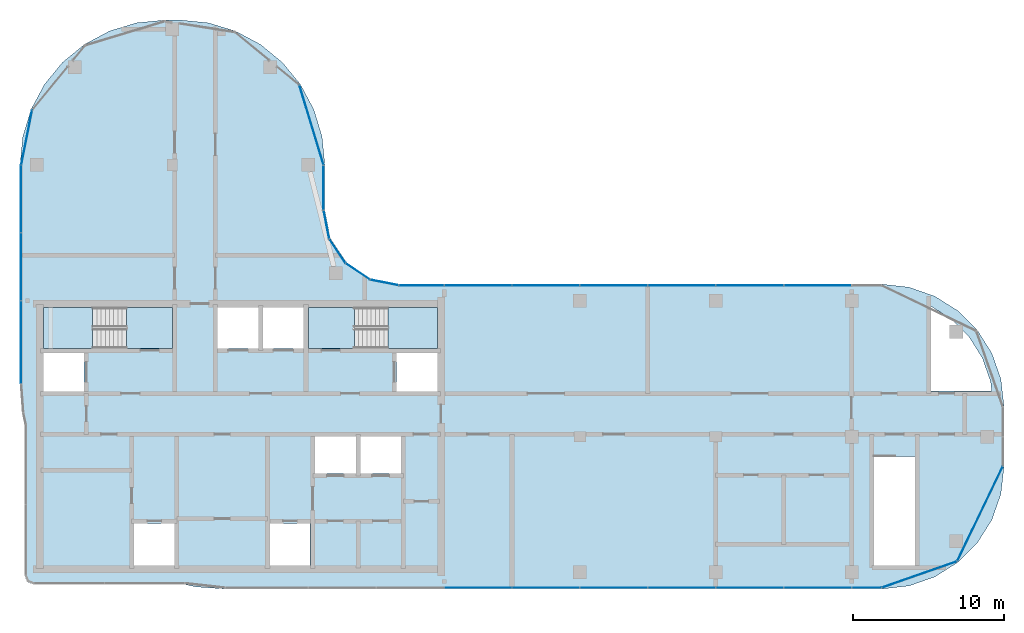
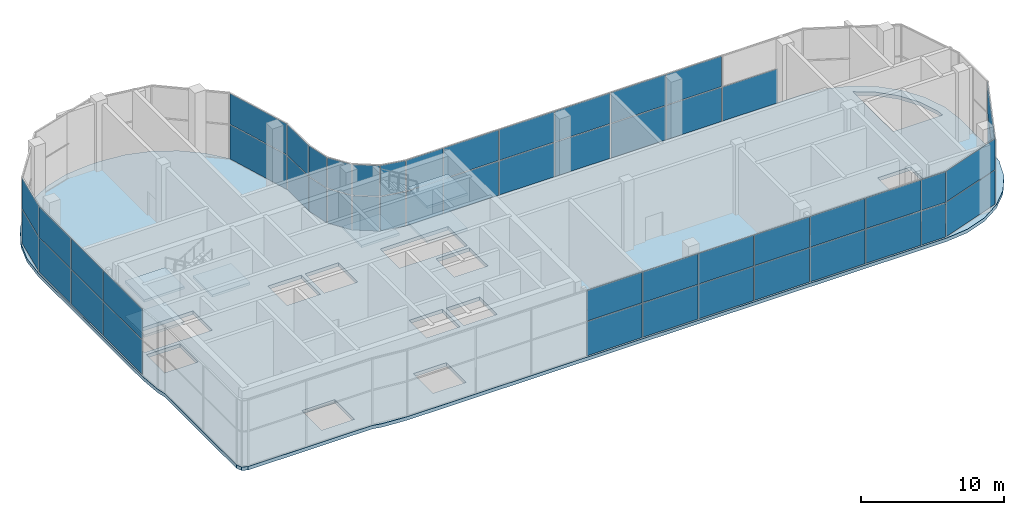
# One storey, part 13 of 21: 51 plates, 7 slabs, 10 elements without a shape of their own.
"""IFC4 building model written with IfcOpenShell, lengths in metres."""

from ifc_helpers import new_model, si_unit, direction, frame, origin, origin_2d, place, context, subcontext, project, spatial, polyline, rectangle, outline, extrude, material, layer, layer_set, type_object, element, aggregate, save


model = new_model("IFC4")

# Units and contexts
model_context = context("Model", 3, precision=1e-05, world=origin(), true_north=direction((0.0, 1.0)))
body_context = subcontext(model_context, "Body", "Model", "MODEL_VIEW")
ifc_project = project(units=[si_unit("LENGTHUNIT", "METRE"), si_unit("AREAUNIT", "SQUARE_METRE"), si_unit("VOLUMEUNIT", "CUBIC_METRE"), si_unit("PLANEANGLEUNIT", "RADIAN"), si_unit("MASSUNIT", "GRAM", prefix="KILO")], contexts=[model_context])

# Site, building, storey
site_placement = place(None, origin())
site = spatial("IfcSite", under=ifc_project, at=site_placement, CompositionType="ELEMENT")
building_placement = place(site_placement, origin())
building = spatial("IfcBuilding", under=site, at=building_placement, Name="Ogive Portal Towers", CompositionType="ELEMENT")
storey_placement = place(building_placement, frame((0.0, 0.0, 266.89990234375)))
storey = spatial("IfcBuildingStorey", under=building, at=storey_placement, Name="L65", CompositionType="ELEMENT", Elevation=266.89990234375)

# Curtain wall, plates
ifc_material_1 = material(Name="Glass, clear low-iron insulated glazing", Category="glass")
curtain_wall_type = type_object("IfcCurtainWallType", Name="CW OBSERVATION WALL", PredefinedType="NOTDEFINED", material=ifc_material_1)
curtain_wall_1_placement = place(storey_placement, origin())
curtain_wall_1 = element("IfcCurtainWall", 1, at=curtain_wall_1_placement, inside=storey, type_object=curtain_wall_type, Name="A:L65:f05:cw0", PredefinedType="NOTDEFINED")
ifc_layer_1 = layer(ifc_material_1, 0.028076171875)
ifc_layer_set_1 = layer_set([ifc_layer_1], Name="CW PANEL IGU 28")
plate_type = type_object("IfcPlateType", Name="CW PANEL IGU 28", PredefinedType="CURTAIN_PANEL", material=ifc_layer_set_1)
plate_1_placement = place(storey_placement, frame((60.75, 20.47998046875, 0.06005859375), z_axis=(0.0, 0.0, 1.0), x_axis=(1.0, 0.0, 0.0)))
plate_1 = element("IfcPlate", 2, at=plate_1_placement, type_object=plate_type, Name="panel", PredefinedType="CURTAIN_PANEL", context=body_context, shape_type="SweptSolid", body=[
    extrude(rectangle(XDim=4.43994140625, YDim=0.028076171875, at=origin_2d()), origin(), (0.0, 0.0, 1.0), 2.909912109375),
])
plate_2_placement = place(storey_placement, frame((60.75, 20.47998046875, 3.0302734375), z_axis=(0.0, 0.0, 1.0), x_axis=(1.0, 0.0, 0.0)))
plate_2 = element("IfcPlate", 3, at=plate_2_placement, type_object=plate_type, Name="panel", PredefinedType="CURTAIN_PANEL", context=body_context, shape_type="SweptSolid", body=[
    extrude(rectangle(XDim=4.43994140625, YDim=0.028076171875, at=origin_2d()), origin(), (0.0, 0.0, 1.0), 2.610107421875),
])
plate_3_placement = place(storey_placement, frame((65.25, 20.47998046875, 0.06005859375), z_axis=(0.0, 0.0, 1.0), x_axis=(1.0, 0.0, 0.0)))
plate_3 = element("IfcPlate", 4, at=plate_3_placement, type_object=plate_type, Name="panel", PredefinedType="CURTAIN_PANEL", context=body_context, shape_type="SweptSolid", body=[
    extrude(rectangle(XDim=4.43994140625, YDim=0.028076171875, at=origin_2d()), origin(), (0.0, 0.0, 1.0), 2.909912109375),
])
plate_4_placement = place(storey_placement, frame((65.25, 20.47998046875, 3.0302734375), z_axis=(0.0, 0.0, 1.0), x_axis=(1.0, 0.0, 0.0)))
plate_4 = element("IfcPlate", 5, at=plate_4_placement, type_object=plate_type, Name="panel", PredefinedType="CURTAIN_PANEL", context=body_context, shape_type="SweptSolid", body=[
    extrude(rectangle(XDim=4.43994140625, YDim=0.028076171875, at=origin_2d()), origin(), (0.0, 0.0, 1.0), 2.610107421875),
])
plate_5_placement = place(storey_placement, frame((69.75, 20.47998046875, 0.06005859375), z_axis=(0.0, 0.0, 1.0), x_axis=(1.0, 0.0, 0.0)))
plate_5 = element("IfcPlate", 6, at=plate_5_placement, type_object=plate_type, Name="panel", PredefinedType="CURTAIN_PANEL", context=body_context, shape_type="SweptSolid", body=[
    extrude(rectangle(XDim=4.43994140625, YDim=0.028076171875, at=origin_2d()), origin(), (0.0, 0.0, 1.0), 2.909912109375),
])
plate_6_placement = place(storey_placement, frame((69.75, 20.47998046875, 3.0302734375), z_axis=(0.0, 0.0, 1.0), x_axis=(1.0, 0.0, 0.0)))
plate_6 = element("IfcPlate", 7, at=plate_6_placement, type_object=plate_type, Name="panel", PredefinedType="CURTAIN_PANEL", context=body_context, shape_type="SweptSolid", body=[
    extrude(rectangle(XDim=4.43994140625, YDim=0.028076171875, at=origin_2d()), origin(), (0.0, 0.0, 1.0), 2.610107421875),
])
plate_7_placement = place(storey_placement, frame((74.25, 20.47998046875, 0.06005859375), z_axis=(0.0, 0.0, 1.0), x_axis=(1.0, 0.0, 0.0)))
plate_7 = element("IfcPlate", 8, at=plate_7_placement, type_object=plate_type, Name="panel", PredefinedType="CURTAIN_PANEL", context=body_context, shape_type="SweptSolid", body=[
    extrude(rectangle(XDim=4.43994140625, YDim=0.028076171875, at=origin_2d()), origin(), (0.0, 0.0, 1.0), 2.909912109375),
])
plate_8_placement = place(storey_placement, frame((74.25, 20.47998046875, 3.0302734375), z_axis=(0.0, 0.0, 1.0), x_axis=(1.0, 0.0, 0.0)))
plate_8 = element("IfcPlate", 9, at=plate_8_placement, type_object=plate_type, Name="panel", PredefinedType="CURTAIN_PANEL", context=body_context, shape_type="SweptSolid", body=[
    extrude(rectangle(XDim=4.43994140625, YDim=0.028076171875, at=origin_2d()), origin(), (0.0, 0.0, 1.0), 2.610107421875),
])
plate_9_placement = place(storey_placement, frame((78.75, 20.47998046875, 0.06005859375), z_axis=(0.0, 0.0, 1.0), x_axis=(1.0, 0.0, 0.0)))
plate_9 = element("IfcPlate", 10, at=plate_9_placement, type_object=plate_type, Name="panel", PredefinedType="CURTAIN_PANEL", context=body_context, shape_type="SweptSolid", body=[
    extrude(rectangle(XDim=4.43994140625, YDim=0.028076171875, at=origin_2d()), origin(), (0.0, 0.0, 1.0), 2.909912109375),
])
plate_10_placement = place(storey_placement, frame((78.75, 20.47998046875, 3.0302734375), z_axis=(0.0, 0.0, 1.0), x_axis=(1.0, 0.0, 0.0)))
plate_10 = element("IfcPlate", 11, at=plate_10_placement, type_object=plate_type, Name="panel", PredefinedType="CURTAIN_PANEL", context=body_context, shape_type="SweptSolid", body=[
    extrude(rectangle(XDim=4.43994140625, YDim=0.028076171875, at=origin_2d()), origin(), (0.0, 0.0, 1.0), 2.610107421875),
])
plate_11_placement = place(storey_placement, frame((83.25, 20.47998046875, 0.06005859375), z_axis=(0.0, 0.0, 1.0), x_axis=(1.0, 0.0, 0.0)))
plate_11 = element("IfcPlate", 12, at=plate_11_placement, type_object=plate_type, Name="panel", PredefinedType="CURTAIN_PANEL", context=body_context, shape_type="SweptSolid", body=[
    extrude(rectangle(XDim=4.43994140625, YDim=0.028076171875, at=origin_2d()), origin(), (0.0, 0.0, 1.0), 2.909912109375),
])
plate_12_placement = place(storey_placement, frame((83.25, 20.47998046875, 3.0302734375), z_axis=(0.0, 0.0, 1.0), x_axis=(1.0, 0.0, 0.0)))
plate_12 = element("IfcPlate", 13, at=plate_12_placement, type_object=plate_type, Name="panel", PredefinedType="CURTAIN_PANEL", context=body_context, shape_type="SweptSolid", body=[
    extrude(rectangle(XDim=4.43994140625, YDim=0.028076171875, at=origin_2d()), origin(), (0.0, 0.0, 1.0), 2.610107421875),
])
plate_13_placement = place(storey_placement, frame((86.4931640625, 20.47998046875, 0.06005859375), z_axis=(0.0, 0.0, 1.0), x_axis=(1.0, 0.0, 0.0)))
plate_13 = element("IfcPlate", 14, at=plate_13_placement, type_object=plate_type, Name="panel", PredefinedType="CURTAIN_PANEL", context=body_context, shape_type="SweptSolid", body=[
    extrude(rectangle(XDim=1.926513671875, YDim=0.028076171875, at=origin_2d()), origin(), (0.0, 0.0, 1.0), 2.909912109375),
])
plate_14_placement = place(storey_placement, frame((86.4931640625, 20.47998046875, 3.0302734375), z_axis=(0.0, 0.0, 1.0), x_axis=(1.0, 0.0, 0.0)))
plate_14 = element("IfcPlate", 15, at=plate_14_placement, type_object=plate_type, Name="panel", PredefinedType="CURTAIN_PANEL", context=body_context, shape_type="SweptSolid", body=[
    extrude(rectangle(XDim=1.926513671875, YDim=0.028076171875, at=origin_2d()), origin(), (0.0, 0.0, 1.0), 2.610107421875),
])
aggregate(curtain_wall_1, [plate_1, plate_2, plate_3, plate_4, plate_5, plate_6, plate_7, plate_8, plate_9, plate_10, plate_11, plate_12, plate_13, plate_14])

curtain_wall_2_placement = place(storey_placement, origin())
curtain_wall_2 = element("IfcCurtainWall", 16, at=curtain_wall_2_placement, inside=storey, type_object=curtain_wall_type, Name="A:L65:f11:cw0", PredefinedType="NOTDEFINED")
plate_15_placement = place(storey_placement, frame((83.25, 40.52001953125, 0.06005859375), z_axis=(0.0, 0.0, 1.0), x_axis=(-1.0, 0.0, 0.0)))
plate_15 = element("IfcPlate", 17, at=plate_15_placement, type_object=plate_type, Name="panel", PredefinedType="CURTAIN_PANEL", context=body_context, shape_type="SweptSolid", body=[
    extrude(rectangle(XDim=4.43994140625, YDim=0.028076171875, at=origin_2d()), origin(), (0.0, 0.0, 1.0), 2.909912109375),
])
plate_16_placement = place(storey_placement, frame((78.75, 40.52001953125, 0.06005859375), z_axis=(0.0, 0.0, 1.0), x_axis=(-1.0, 0.0, 0.0)))
plate_16 = element("IfcPlate", 18, at=plate_16_placement, type_object=plate_type, Name="panel", PredefinedType="CURTAIN_PANEL", context=body_context, shape_type="SweptSolid", body=[
    extrude(rectangle(XDim=4.43994140625, YDim=0.028076171875, at=origin_2d()), origin(), (0.0, 0.0, 1.0), 2.909912109375),
])
plate_17_placement = place(storey_placement, frame((78.75, 40.52001953125, 3.0302734375), z_axis=(0.0, 0.0, 1.0), x_axis=(-1.0, 0.0, 0.0)))
plate_17 = element("IfcPlate", 19, at=plate_17_placement, type_object=plate_type, Name="panel", PredefinedType="CURTAIN_PANEL", context=body_context, shape_type="SweptSolid", body=[
    extrude(rectangle(XDim=4.43994140625, YDim=0.028076171875, at=origin_2d()), origin(), (0.0, 0.0, 1.0), 2.610107421875),
])
plate_18_placement = place(storey_placement, frame((74.25, 40.52001953125, 0.06005859375), z_axis=(0.0, 0.0, 1.0), x_axis=(-1.0, 0.0, 0.0)))
plate_18 = element("IfcPlate", 20, at=plate_18_placement, type_object=plate_type, Name="panel", PredefinedType="CURTAIN_PANEL", context=body_context, shape_type="SweptSolid", body=[
    extrude(rectangle(XDim=4.43994140625, YDim=0.028076171875, at=origin_2d()), origin(), (0.0, 0.0, 1.0), 2.909912109375),
])
plate_19_placement = place(storey_placement, frame((74.25, 40.52001953125, 3.0302734375), z_axis=(0.0, 0.0, 1.0), x_axis=(-1.0, 0.0, 0.0)))
plate_19 = element("IfcPlate", 21, at=plate_19_placement, type_object=plate_type, Name="panel", PredefinedType="CURTAIN_PANEL", context=body_context, shape_type="SweptSolid", body=[
    extrude(rectangle(XDim=4.43994140625, YDim=0.028076171875, at=origin_2d()), origin(), (0.0, 0.0, 1.0), 2.610107421875),
])
plate_20_placement = place(storey_placement, frame((69.75, 40.52001953125, 0.06005859375), z_axis=(0.0, 0.0, 1.0), x_axis=(-1.0, 0.0, 0.0)))
plate_20 = element("IfcPlate", 22, at=plate_20_placement, type_object=plate_type, Name="panel", PredefinedType="CURTAIN_PANEL", context=body_context, shape_type="SweptSolid", body=[
    extrude(rectangle(XDim=4.43994140625, YDim=0.028076171875, at=origin_2d()), origin(), (0.0, 0.0, 1.0), 2.909912109375),
])
plate_21_placement = place(storey_placement, frame((69.75, 40.52001953125, 3.0302734375), z_axis=(0.0, 0.0, 1.0), x_axis=(-1.0, 0.0, 0.0)))
plate_21 = element("IfcPlate", 23, at=plate_21_placement, type_object=plate_type, Name="panel", PredefinedType="CURTAIN_PANEL", context=body_context, shape_type="SweptSolid", body=[
    extrude(rectangle(XDim=4.43994140625, YDim=0.028076171875, at=origin_2d()), origin(), (0.0, 0.0, 1.0), 2.610107421875),
])
plate_22_placement = place(storey_placement, frame((65.25, 40.52001953125, 0.06005859375), z_axis=(0.0, 0.0, 1.0), x_axis=(-1.0, 0.0, 0.0)))
plate_22 = element("IfcPlate", 24, at=plate_22_placement, type_object=plate_type, Name="panel", PredefinedType="CURTAIN_PANEL", context=body_context, shape_type="SweptSolid", body=[
    extrude(rectangle(XDim=4.43994140625, YDim=0.028076171875, at=origin_2d()), origin(), (0.0, 0.0, 1.0), 2.909912109375),
])
plate_23_placement = place(storey_placement, frame((65.25, 40.52001953125, 3.0302734375), z_axis=(0.0, 0.0, 1.0), x_axis=(-1.0, 0.0, 0.0)))
plate_23 = element("IfcPlate", 25, at=plate_23_placement, type_object=plate_type, Name="panel", PredefinedType="CURTAIN_PANEL", context=body_context, shape_type="SweptSolid", body=[
    extrude(rectangle(XDim=4.43994140625, YDim=0.028076171875, at=origin_2d()), origin(), (0.0, 0.0, 1.0), 2.610107421875),
])
plate_24_placement = place(storey_placement, frame((60.75, 40.52001953125, 0.06005859375), z_axis=(0.0, 0.0, 1.0), x_axis=(-1.0, 0.0, 0.0)))
plate_24 = element("IfcPlate", 26, at=plate_24_placement, type_object=plate_type, Name="panel", PredefinedType="CURTAIN_PANEL", context=body_context, shape_type="SweptSolid", body=[
    extrude(rectangle(XDim=4.43994140625, YDim=0.028076171875, at=origin_2d()), origin(), (0.0, 0.0, 1.0), 2.909912109375),
])
plate_25_placement = place(storey_placement, frame((60.75, 40.52001953125, 3.0302734375), z_axis=(0.0, 0.0, 1.0), x_axis=(-1.0, 0.0, 0.0)))
plate_25 = element("IfcPlate", 27, at=plate_25_placement, type_object=plate_type, Name="panel", PredefinedType="CURTAIN_PANEL", context=body_context, shape_type="SweptSolid", body=[
    extrude(rectangle(XDim=4.43994140625, YDim=0.028076171875, at=origin_2d()), origin(), (0.0, 0.0, 1.0), 2.610107421875),
])
plate_26_placement = place(storey_placement, frame((56.99609375, 40.52001953125, 0.06005859375), z_axis=(0.0, 0.0, 1.0), x_axis=(-1.0, 0.0, 0.0)))
plate_26 = element("IfcPlate", 28, at=plate_26_placement, type_object=plate_type, Name="panel", PredefinedType="CURTAIN_PANEL", context=body_context, shape_type="SweptSolid", body=[
    extrude(rectangle(XDim=2.947998046875, YDim=0.028076171875, at=origin_2d()), origin(), (0.0, 0.0, 1.0), 2.909912109375),
])
plate_27_placement = place(storey_placement, frame((56.99609375, 40.52001953125, 3.0302734375), z_axis=(0.0, 0.0, 1.0), x_axis=(-1.0, 0.0, 0.0)))
plate_27 = element("IfcPlate", 29, at=plate_27_placement, type_object=plate_type, Name="panel", PredefinedType="CURTAIN_PANEL", context=body_context, shape_type="SweptSolid", body=[
    extrude(rectangle(XDim=2.947998046875, YDim=0.028076171875, at=origin_2d()), origin(), (0.0, 0.0, 1.0), 2.610107421875),
])
aggregate(curtain_wall_2, [plate_15, plate_16, plate_17, plate_18, plate_19, plate_20, plate_21, plate_22, plate_23, plate_24, plate_25, plate_26, plate_27])

curtain_wall_3_placement = place(storey_placement, origin())
curtain_wall_3 = element("IfcCurtainWall", 30, at=curtain_wall_3_placement, inside=storey, type_object=curtain_wall_type, Name="A:L65:f16:cw0", PredefinedType="NOTDEFINED")
plate_28_placement = place(storey_placement, frame((50.52001953125, 46.990234375, 0.06005859375), z_axis=(0.0, 0.0, 1.0), x_axis=(0.0, 1.0, 0.0)))
plate_28 = element("IfcPlate", 31, at=plate_28_placement, type_object=plate_type, Name="panel", PredefinedType="CURTAIN_PANEL", context=body_context, shape_type="SweptSolid", body=[
    extrude(rectangle(XDim=2.93603515625, YDim=0.028076171875, at=origin_2d()), origin(), (0.0, 0.0, 1.0), 2.909912109375),
])
plate_29_placement = place(storey_placement, frame((50.52001953125, 46.990234375, 3.0302734375), z_axis=(0.0, 0.0, 1.0), x_axis=(0.0, 1.0, 0.0)))
plate_29 = element("IfcPlate", 32, at=plate_29_placement, type_object=plate_type, Name="panel", PredefinedType="CURTAIN_PANEL", context=body_context, shape_type="SweptSolid", body=[
    extrude(rectangle(XDim=2.93603515625, YDim=0.028076171875, at=origin_2d()), origin(), (0.0, 0.0, 1.0), 2.610107421875),
])
aggregate(curtain_wall_3, [plate_28, plate_29])

curtain_wall_4_placement = place(storey_placement, origin())
curtain_wall_4 = element("IfcCurtainWall", 33, at=curtain_wall_4_placement, inside=storey, type_object=curtain_wall_type, Name="A:L65:f23:cw0", PredefinedType="NOTDEFINED")
plate_30_placement = place(storey_placement, frame((30.47998046875, 46.24609375, 0.06005859375), z_axis=(0.0, 0.0, 1.0), x_axis=(0.0, -1.0, 0.0)))
plate_30 = element("IfcPlate", 34, at=plate_30_placement, type_object=plate_type, Name="panel", PredefinedType="CURTAIN_PANEL", context=body_context, shape_type="SweptSolid", body=[
    extrude(rectangle(XDim=4.43212890625, YDim=0.028076171875, at=origin_2d()), origin(), (0.0, 0.0, 1.0), 2.909912109375),
])
plate_31_placement = place(storey_placement, frame((30.47998046875, 46.24609375, 3.0302734375), z_axis=(0.0, 0.0, 1.0), x_axis=(0.0, -1.0, 0.0)))
plate_31 = element("IfcPlate", 35, at=plate_31_placement, type_object=plate_type, Name="panel", PredefinedType="CURTAIN_PANEL", context=body_context, shape_type="SweptSolid", body=[
    extrude(rectangle(XDim=4.43212890625, YDim=0.028076171875, at=origin_2d()), origin(), (0.0, 0.0, 1.0), 2.610107421875),
])
plate_32_placement = place(storey_placement, frame((30.47998046875, 41.75, 0.06005859375), z_axis=(0.0, 0.0, 1.0), x_axis=(0.0, -1.0, 0.0)))
plate_32 = element("IfcPlate", 36, at=plate_32_placement, type_object=plate_type, Name="panel", PredefinedType="CURTAIN_PANEL", context=body_context, shape_type="SweptSolid", body=[
    extrude(rectangle(XDim=4.43994140625, YDim=0.028076171875, at=origin_2d()), origin(), (0.0, 0.0, 1.0), 2.909912109375),
])
plate_33_placement = place(storey_placement, frame((30.47998046875, 41.75, 3.0302734375), z_axis=(0.0, 0.0, 1.0), x_axis=(0.0, -1.0, 0.0)))
plate_33 = element("IfcPlate", 37, at=plate_33_placement, type_object=plate_type, Name="panel", PredefinedType="CURTAIN_PANEL", context=body_context, shape_type="SweptSolid", body=[
    extrude(rectangle(XDim=4.43994140625, YDim=0.028076171875, at=origin_2d()), origin(), (0.0, 0.0, 1.0), 2.610107421875),
])
plate_34_placement = place(storey_placement, frame((30.47998046875, 36.75146484375, 0.06005859375), z_axis=(0.0, 0.0, 1.0), x_axis=(0.0, -1.0, 0.0)))
plate_34 = element("IfcPlate", 38, at=plate_34_placement, type_object=plate_type, Name="panel", PredefinedType="CURTAIN_PANEL", context=body_context, shape_type="SweptSolid", body=[
    extrude(rectangle(XDim=5.437255859375, YDim=0.028076171875, at=origin_2d()), origin(), (0.0, 0.0, 1.0), 2.909912109375),
])
plate_35_placement = place(storey_placement, frame((30.47998046875, 36.75146484375, 3.0302734375), z_axis=(0.0, 0.0, 1.0), x_axis=(0.0, -1.0, 0.0)))
plate_35 = element("IfcPlate", 39, at=plate_35_placement, type_object=plate_type, Name="panel", PredefinedType="CURTAIN_PANEL", context=body_context, shape_type="SweptSolid", body=[
    extrude(rectangle(XDim=5.437255859375, YDim=0.028076171875, at=origin_2d()), origin(), (0.0, 0.0, 1.0), 2.610107421875),
])
aggregate(curtain_wall_4, [plate_30, plate_31, plate_32, plate_33, plate_34, plate_35])

curtain_wall_5_placement = place(storey_placement, origin())
curtain_wall_5 = element("IfcCurtainWall", 40, at=curtain_wall_5_placement, inside=storey, type_object=curtain_wall_type, Name="A:L65:f06:cwa", PredefinedType="NOTDEFINED")
plate_36_placement = place(storey_placement, frame((89.989501953125, 21.35595703125, 0.06005859375), z_axis=(0.0, 0.0, 1.0), x_axis=(0.943883330307, 0.33027906196, 0.0)))
plate_36 = element("IfcPlate", 41, at=plate_36_placement, type_object=plate_type, Name="panel", PredefinedType="CURTAIN_PANEL", context=body_context, shape_type="SweptSolid", body=[
    extrude(rectangle(XDim=5.243896484375, YDim=0.028076171875, at=origin_2d()), origin(), (0.0, 0.0, 1.0), 2.909912109375),
])
plate_37_placement = place(storey_placement, frame((89.989501953125, 21.35595703125, 3.0302734375), z_axis=(0.0, 0.0, 1.0), x_axis=(0.943883330307, 0.33027906196, 0.0)))
plate_37 = element("IfcPlate", 42, at=plate_37_placement, type_object=plate_type, Name="panel", PredefinedType="CURTAIN_PANEL", context=body_context, shape_type="SweptSolid", body=[
    extrude(rectangle(XDim=5.243896484375, YDim=0.028076171875, at=origin_2d()), origin(), (0.0, 0.0, 1.0), 2.610107421875),
])
plate_38_placement = place(storey_placement, frame((94.00634765625, 25.375, 0.06005859375), z_axis=(0.0, 0.0, 1.0), x_axis=(0.433883739113, 0.900968867905, 0.0)))
plate_38 = element("IfcPlate", 43, at=plate_38_placement, type_object=plate_type, Name="panel", PredefinedType="CURTAIN_PANEL", context=body_context, shape_type="SweptSolid", body=[
    extrude(rectangle(XDim=6.91748046875, YDim=0.028076171875, at=origin_2d()), origin(), (0.0, 0.0, 1.0), 2.909912109375),
])
plate_39_placement = place(storey_placement, frame((94.00634765625, 25.375, 3.0302734375), z_axis=(0.0, 0.0, 1.0), x_axis=(0.433883739113, 0.900968867905, 0.0)))
plate_39 = element("IfcPlate", 44, at=plate_39_placement, type_object=plate_type, Name="panel", PredefinedType="CURTAIN_PANEL", context=body_context, shape_type="SweptSolid", body=[
    extrude(rectangle(XDim=6.91748046875, YDim=0.028076171875, at=origin_2d()), origin(), (0.0, 0.0, 1.0), 2.610107421875),
])
aggregate(curtain_wall_5, [plate_36, plate_37, plate_38, plate_39])

curtain_wall_6_placement = place(storey_placement, origin())
curtain_wall_6 = element("IfcCurtainWall", 45, at=curtain_wall_6_placement, inside=storey, type_object=curtain_wall_type, Name="A:L65:f12:cwa", PredefinedType="NOTDEFINED")
plate_40_placement = place(storey_placement, frame((54.54296875, 40.708740234375, 0.06005859375), z_axis=(0.0, 0.0, 1.0), x_axis=(-0.980785280403, 0.195090322016, 0.0)))
plate_40 = element("IfcPlate", 46, at=plate_40_placement, type_object=plate_type, Name="panel", PredefinedType="CURTAIN_PANEL", context=body_context, shape_type="SweptSolid", body=[
    extrude(rectangle(XDim=1.875732421875, YDim=0.028076171875, at=origin_2d()), origin(), (0.0, 0.0, 1.0), 2.909912109375),
])
plate_41_placement = place(storey_placement, frame((54.54296875, 40.708740234375, 3.0302734375), z_axis=(0.0, 0.0, 1.0), x_axis=(-0.980785280403, 0.195090322016, 0.0)))
plate_41 = element("IfcPlate", 47, at=plate_41_placement, type_object=plate_type, Name="panel", PredefinedType="CURTAIN_PANEL", context=body_context, shape_type="SweptSolid", body=[
    extrude(rectangle(XDim=1.875732421875, YDim=0.028076171875, at=origin_2d()), origin(), (0.0, 0.0, 1.0), 2.610107421875),
])
plate_42_placement = place(storey_placement, frame((52.78564453125, 41.4375, 0.06005859375), z_axis=(0.0, 0.0, 1.0), x_axis=(-0.831469612303, 0.55557023302, 0.0)))
plate_42 = element("IfcPlate", 48, at=plate_42_placement, type_object=plate_type, Name="panel", PredefinedType="CURTAIN_PANEL", context=body_context, shape_type="SweptSolid", body=[
    extrude(rectangle(XDim=1.8837890625, YDim=0.028076171875, at=origin_2d()), origin(), (0.0, 0.0, 1.0), 2.909912109375),
])
plate_43_placement = place(storey_placement, frame((52.78564453125, 41.4375, 3.0302734375), z_axis=(0.0, 0.0, 1.0), x_axis=(-0.831469612303, 0.55557023302, 0.0)))
plate_43 = element("IfcPlate", 49, at=plate_43_placement, type_object=plate_type, Name="panel", PredefinedType="CURTAIN_PANEL", context=body_context, shape_type="SweptSolid", body=[
    extrude(rectangle(XDim=1.8837890625, YDim=0.028076171875, at=origin_2d()), origin(), (0.0, 0.0, 1.0), 2.610107421875),
])
plate_44_placement = place(storey_placement, frame((51.4375, 42.78564453125, 0.06005859375), z_axis=(0.0, 0.0, 1.0), x_axis=(-0.55557023302, 0.831469612303, 0.0)))
plate_44 = element("IfcPlate", 50, at=plate_44_placement, type_object=plate_type, Name="panel", PredefinedType="CURTAIN_PANEL", context=body_context, shape_type="SweptSolid", body=[
    extrude(rectangle(XDim=1.8837890625, YDim=0.028076171875, at=origin_2d()), origin(), (0.0, 0.0, 1.0), 2.909912109375),
])
plate_45_placement = place(storey_placement, frame((51.4375, 42.78564453125, 3.0302734375), z_axis=(0.0, 0.0, 1.0), x_axis=(-0.55557023302, 0.831469612303, 0.0)))
plate_45 = element("IfcPlate", 51, at=plate_45_placement, type_object=plate_type, Name="panel", PredefinedType="CURTAIN_PANEL", context=body_context, shape_type="SweptSolid", body=[
    extrude(rectangle(XDim=1.8837890625, YDim=0.028076171875, at=origin_2d()), origin(), (0.0, 0.0, 1.0), 2.610107421875),
])
plate_46_placement = place(storey_placement, frame((50.708740234375, 44.54296875, 0.06005859375), z_axis=(0.0, 0.0, 1.0), x_axis=(-0.195090322016, 0.980785280403, 0.0)))
plate_46 = element("IfcPlate", 52, at=plate_46_placement, type_object=plate_type, Name="panel", PredefinedType="CURTAIN_PANEL", context=body_context, shape_type="SweptSolid", body=[
    extrude(rectangle(XDim=1.875732421875, YDim=0.028076171875, at=origin_2d()), origin(), (0.0, 0.0, 1.0), 2.909912109375),
])
plate_47_placement = place(storey_placement, frame((50.708740234375, 44.54296875, 3.0302734375), z_axis=(0.0, 0.0, 1.0), x_axis=(-0.195090322016, 0.980785280403, 0.0)))
plate_47 = element("IfcPlate", 53, at=plate_47_placement, type_object=plate_type, Name="panel", PredefinedType="CURTAIN_PANEL", context=body_context, shape_type="SweptSolid", body=[
    extrude(rectangle(XDim=1.875732421875, YDim=0.028076171875, at=origin_2d()), origin(), (0.0, 0.0, 1.0), 2.610107421875),
])
aggregate(curtain_wall_6, [plate_40, plate_41, plate_42, plate_43, plate_44, plate_45, plate_46, plate_47])

curtain_wall_7_placement = place(storey_placement, origin())
curtain_wall_7 = element("IfcCurtainWall", 54, at=curtain_wall_7_placement, inside=storey, type_object=curtain_wall_type, Name="A:L65:f17:cwa~0", PredefinedType="NOTDEFINED")
plate_48_placement = place(storey_placement, frame((49.71630859375, 51.1376953125, 0.06005859375), z_axis=(0.0, 0.0, 1.0), x_axis=(-0.290284677254, 0.956940335732, 0.0)))
plate_48 = element("IfcPlate", 55, at=plate_48_placement, type_object=plate_type, Name="panel", PredefinedType="CURTAIN_PANEL", context=body_context, shape_type="SweptSolid", body=[
    extrude(rectangle(XDim=5.477294921875, YDim=0.028076171875, at=origin_2d()), origin(), (0.0, 0.0, 1.0), 2.909912109375),
])
plate_49_placement = place(storey_placement, frame((49.71630859375, 51.1376953125, 3.0302734375), z_axis=(0.0, 0.0, 1.0), x_axis=(-0.290284677254, 0.956940335732, 0.0)))
plate_49 = element("IfcPlate", 56, at=plate_49_placement, type_object=plate_type, Name="panel", PredefinedType="CURTAIN_PANEL", context=body_context, shape_type="SweptSolid", body=[
    extrude(rectangle(XDim=5.477294921875, YDim=0.028076171875, at=origin_2d()), origin(), (0.0, 0.0, 1.0), 2.610107421875),
])
aggregate(curtain_wall_7, [plate_48, plate_49])

curtain_wall_8_placement = place(storey_placement, origin())
curtain_wall_8 = element("IfcCurtainWall", 57, at=curtain_wall_8_placement, inside=storey, type_object=curtain_wall_type, Name="A:L65:f17:cwa~3", PredefinedType="NOTDEFINED")
plate_50_placement = place(storey_placement, frame((30.8427734375, 50.3154296875, 0.06005859375), z_axis=(0.0, 0.0, 1.0), x_axis=(-0.195090322016, -0.980785280403, 0.0)))
plate_50 = element("IfcPlate", 58, at=plate_50_placement, type_object=plate_type, Name="panel", PredefinedType="CURTAIN_PANEL", context=body_context, shape_type="SweptSolid", body=[
    extrude(rectangle(XDim=3.65771484375, YDim=0.028076171875, at=origin_2d()), origin(), (0.0, 0.0, 1.0), 2.909912109375),
])
plate_51_placement = place(storey_placement, frame((30.8427734375, 50.3154296875, 3.0302734375), z_axis=(0.0, 0.0, 1.0), x_axis=(-0.195090322016, -0.980785280403, 0.0)))
plate_51 = element("IfcPlate", 59, at=plate_51_placement, type_object=plate_type, Name="panel", PredefinedType="CURTAIN_PANEL", context=body_context, shape_type="SweptSolid", body=[
    extrude(rectangle(XDim=3.65771484375, YDim=0.028076171875, at=origin_2d()), origin(), (0.0, 0.0, 1.0), 2.610107421875),
])
aggregate(curtain_wall_8, [plate_50, plate_51])

# Stair, slabs
ifc_material_2 = material(Name="Concrete C40/50", Category="concrete")
stair_type = type_object("IfcStairType", Name="INT-STAIR", PredefinedType="HALF_TURN_STAIR", material=ifc_material_2)
stair_1_placement = place(storey_placement, origin())
stair_1 = element("IfcStair", 60, at=stair_1_placement, inside=storey, type_object=stair_type, Name="L65 Exit Stair ST-A1", PredefinedType="HALF_TURN_STAIR")
ifc_layer_2 = layer(ifc_material_2, 0.199951171875)
ifc_layer_set_2 = layer_set([ifc_layer_2], Name="INT-LANDING")
slab_type_1 = type_object("IfcSlabType", Name="INT-LANDING", PredefinedType="LANDING", material=ifc_layer_set_2)
slab_1_placement = place(storey_placement, frame((0.0, 0.0, 1.300048828125)))
slab_1 = element("IfcSlab", 61, at=slab_1_placement, type_object=slab_type_1, Name="ST-A1 landing 1", PredefinedType="LANDING", context=body_context, shape_type="SweptSolid", body=[
    extrude(outline(polyline([(35.2099609375, 39.050048828125), (31.949951171875, 39.050048828125), (31.949951171875, 36.35009765625), (35.2099609375, 36.35009765625), (35.2099609375, 39.050048828125)])), origin(), (0.0, 0.0, 1.0), 0.199951171875),
])
slab_2_placement = place(storey_placement, frame((0.0, 0.0, 2.800048828125)))
slab_2 = element("IfcSlab", 62, at=slab_2_placement, type_object=slab_type_1, Name="ST-A1 landing 2", PredefinedType="LANDING", context=body_context, shape_type="SweptSolid", body=[
    extrude(outline(polyline([(40.5, 39.050048828125), (37.449951171875, 39.050048828125), (37.449951171875, 36.35009765625), (40.5, 36.35009765625), (40.5, 39.050048828125)])), origin(), (0.0, 0.0, 1.0), 0.199951171875),
])
slab_3_placement = place(storey_placement, frame((0.0, 0.0, 4.300048828125)))
slab_3 = element("IfcSlab", 63, at=slab_3_placement, type_object=slab_type_1, Name="ST-A1 landing 3", PredefinedType="LANDING", context=body_context, shape_type="SweptSolid", body=[
    extrude(outline(polyline([(35.2099609375, 39.050048828125), (31.949951171875, 39.050048828125), (31.949951171875, 36.35009765625), (35.2099609375, 36.35009765625), (35.2099609375, 39.050048828125)])), origin(), (0.0, 0.0, 1.0), 0.199951171875),
])
aggregate(stair_1, [slab_1, slab_2, slab_3])

stair_2_placement = place(storey_placement, origin())
stair_2 = element("IfcStair", 64, at=stair_2_placement, inside=storey, type_object=stair_type, Name="L65 Exit Stair ST-A2", PredefinedType="HALF_TURN_STAIR")
slab_4_placement = place(storey_placement, frame((0.0, 0.0, 1.300048828125)))
slab_4 = element("IfcSlab", 65, at=slab_4_placement, type_object=slab_type_1, Name="ST-A2 landing 1", PredefinedType="LANDING", context=body_context, shape_type="SweptSolid", body=[
    extrude(outline(polyline([(54.7900390625, 36.35009765625), (58.050048828125, 36.35009765625), (58.050048828125, 39.050048828125), (54.7900390625, 39.050048828125), (54.7900390625, 36.35009765625)])), origin(), (0.0, 0.0, 1.0), 0.199951171875),
])
slab_5_placement = place(storey_placement, frame((0.0, 0.0, 2.800048828125)))
slab_5 = element("IfcSlab", 66, at=slab_5_placement, type_object=slab_type_1, Name="ST-A2 landing 2", PredefinedType="LANDING", context=body_context, shape_type="SweptSolid", body=[
    extrude(outline(polyline([(49.5, 36.35009765625), (52.550048828125, 36.35009765625), (52.550048828125, 39.050048828125), (49.5, 39.050048828125), (49.5, 36.35009765625)])), origin(), (0.0, 0.0, 1.0), 0.199951171875),
])
slab_6_placement = place(storey_placement, frame((0.0, 0.0, 4.300048828125)))
slab_6 = element("IfcSlab", 67, at=slab_6_placement, type_object=slab_type_1, Name="ST-A2 landing 3", PredefinedType="LANDING", context=body_context, shape_type="SweptSolid", body=[
    extrude(outline(polyline([(54.7900390625, 36.35009765625), (58.050048828125, 36.35009765625), (58.050048828125, 39.050048828125), (54.7900390625, 39.050048828125), (54.7900390625, 36.35009765625)])), origin(), (0.0, 0.0, 1.0), 0.199951171875),
])
aggregate(stair_2, [slab_4, slab_5, slab_6])

# Slab
ifc_material_3 = material(Name="Concrete C45/55", Category="concrete")
ifc_layer_3 = layer(ifc_material_3, 0.300048828125)
ifc_layer_set_3 = layer_set([ifc_layer_3], Name="PT FLAT PLATE 300")
slab_type_2 = type_object("IfcSlabType", Name="PT FLAT PLATE 300", PredefinedType="FLOOR", material=ifc_layer_set_3)
slab_7_placement = place(storey_placement, frame((0.0, 0.0, -0.2998046875)))
element("IfcSlab", 68, at=slab_7_placement, inside=storey, type_object=slab_type_2, Name="Floor slab L65", PredefinedType="FLOOR", context=body_context, shape_type="SweptSolid", body=[
    extrude(outline(polyline([(30.39990234375, 34.0), (30.538330078125, 32.064453125), (30.699951171875, 31.32177734375), (30.699951171875, 21.300048828125), (30.875732421875, 20.875732421875), (31.300048828125, 20.699951171875), (41.32177734375, 20.699951171875), (42.064453125, 20.538330078125), (44.0, 20.39990234375), (87.5, 20.39990234375), (89.302490234375, 20.60302734375), (91.014404296875, 21.2021484375), (92.55029296875, 22.167236328125), (93.832763671875, 23.44970703125), (94.7978515625, 24.985595703125), (95.39697265625, 26.697509765625), (95.60009765625, 28.5), (95.60009765625, 32.5), (95.39697265625, 34.302490234375), (94.7978515625, 36.014404296875), (93.832763671875, 37.55029296875), (92.55029296875, 38.832763671875), (91.014404296875, 39.7978515625), (89.302490234375, 40.39697265625), (87.5, 40.60009765625), (55.5, 40.60009765625), (53.625, 40.972900390625), (52.03515625, 42.03515625), (50.972900390625, 43.625), (50.60009765625, 45.5), (50.60009765625, 48.5), (50.41552734375, 50.372802734375), (49.869140625, 52.173828125), (48.982177734375, 53.83349609375), (47.7880859375, 55.2880859375), (46.33349609375, 56.482177734375), (44.673828125, 57.369140625), (42.872802734375, 57.91552734375), (41.0, 58.10009765625), (40.0, 58.10009765625), (38.127197265625, 57.91552734375), (36.326171875, 57.369140625), (34.66650390625, 56.482177734375), (33.2119140625, 55.2880859375), (32.017822265625, 53.83349609375), (31.130859375, 52.173828125), (30.58447265625, 50.372802734375), (30.39990234375, 48.5), (30.39990234375, 34.0)]), holes=[polyline([(40.6298828125, 24.72998046875), (40.6298828125, 21.969970703125), (37.969970703125, 21.969970703125), (37.969970703125, 24.72998046875), (40.6298828125, 24.72998046875)]), polyline([(49.6298828125, 21.969970703125), (46.969970703125, 21.969970703125), (46.969970703125, 24.72998046875), (49.6298828125, 24.72998046875), (49.6298828125, 21.969970703125)]), polyline([(34.64990234375, 36.050048828125), (34.64990234375, 33.5), (31.949951171875, 33.5), (31.949951171875, 36.050048828125), (34.64990234375, 36.050048828125)]), polyline([(31.951904296875, 36.35205078125), (31.951904296875, 39.048095703125), (37.447998046875, 39.048095703125), (37.447998046875, 36.35205078125), (31.951904296875, 36.35205078125)]), polyline([(46.199951171875, 39.050048828125), (46.199951171875, 36.35009765625), (43.5, 36.35009765625), (43.5, 39.050048828125), (46.199951171875, 39.050048828125)]), polyline([(49.199951171875, 39.050048828125), (49.199951171875, 36.35009765625), (46.5, 36.35009765625), (46.5, 39.050048828125), (49.199951171875, 39.050048828125)]), polyline([(89.697998046875, 21.951904296875), (87.001953125, 21.951904296875), (87.001953125, 29.16796875), (89.697998046875, 29.16796875), (89.697998046875, 21.951904296875)]), polyline([(52.64990234375, 30.5), (52.64990234375, 28.050048828125), (49.949951171875, 28.050048828125), (49.949951171875, 30.5), (52.64990234375, 30.5)]), polyline([(55.64990234375, 30.5), (55.64990234375, 28.050048828125), (52.949951171875, 28.050048828125), (52.949951171875, 30.5), (55.64990234375, 30.5)]), polyline([(55.35009765625, 36.050048828125), (58.050048828125, 36.050048828125), (58.050048828125, 33.5), (55.35009765625, 33.5), (55.35009765625, 36.050048828125)]), polyline([(94.1630859375, 35.708740234375), (94.710205078125, 34.145751953125), (94.780517578125, 33.52001953125), (90.77001953125, 33.52001953125), (90.77001953125, 39.124755859375), (92.111083984375, 38.281982421875), (93.281982421875, 37.111083984375), (94.1630859375, 35.708740234375)]), polyline([(58.048095703125, 36.35205078125), (52.552001953125, 36.35205078125), (52.552001953125, 39.048095703125), (58.048095703125, 39.048095703125), (58.048095703125, 36.35205078125)])]), origin(), (0.0, 0.0, 1.0), 0.2998046875),
])

save(model, "model.ifc")
